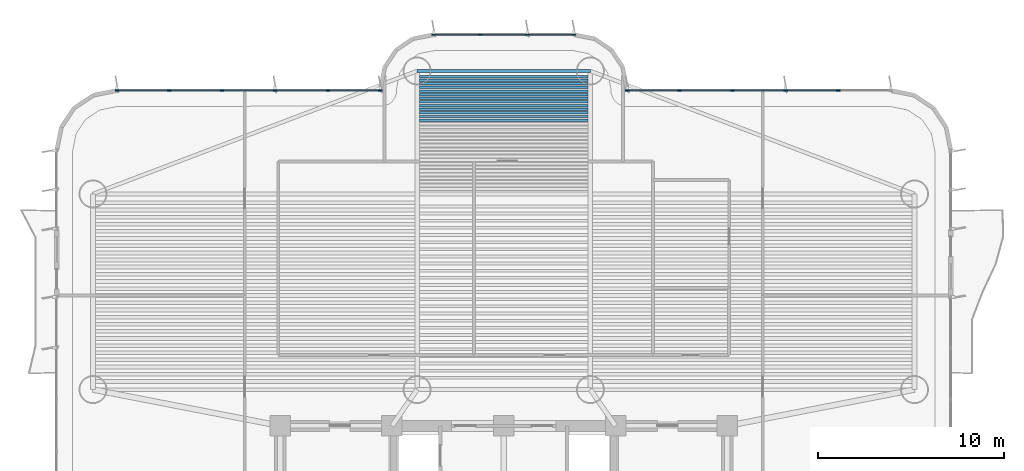
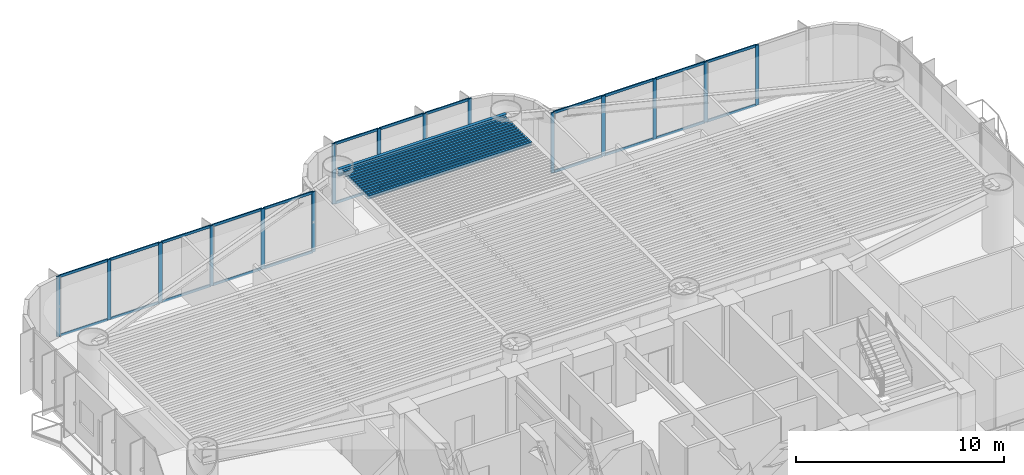
# One storey, part 7 of 17: 39 members, 14 beams, 3 elements without a shape of their own.
"""IFC4 building model written with IfcOpenShell, lengths in metres."""

from ifc_helpers import new_model, si_unit, direction, frame, origin, origin_2d, place, context, subcontext, project, spatial, rectangle, i_section, extrude, source, transform, mapped, material, layer, layer_set, material_profile, profile_set, type_object, element, aggregate, save


model = new_model("IFC4")

# Units and contexts
model_context = context("Model", 3, precision=1e-05, world=origin(), true_north=direction((0.0, 1.0)))
body_context = subcontext(model_context, "Body", "Model", "MODEL_VIEW")
ifc_project = project(units=[si_unit("LENGTHUNIT", "METRE"), si_unit("AREAUNIT", "SQUARE_METRE"), si_unit("VOLUMEUNIT", "CUBIC_METRE"), si_unit("PLANEANGLEUNIT", "RADIAN"), si_unit("MASSUNIT", "GRAM", prefix="KILO")], contexts=[model_context])

# Site, building, storey
site_placement = place(None, origin())
site = spatial("IfcSite", under=ifc_project, at=site_placement, CompositionType="ELEMENT")
building_placement = place(site_placement, origin())
building = spatial("IfcBuilding", under=site, at=building_placement, Name="Brelvock Crest Care Tower", CompositionType="ELEMENT")
storey_placement = place(building_placement, frame((0.0, 0.0, 45.89990234375)))
storey = spatial("IfcBuildingStorey", under=building, at=storey_placement, Name="L11", CompositionType="ELEMENT", Elevation=45.89990234375)

# Beams
ifc_material_1 = material(Name="Steel Grade 350", Category="steel")
ifc_material_profile_1 = material_profile(ifc_material_1, i_section(OverallWidth=0.177978515625, OverallDepth=0.406005859375, WebThickness=0.0078125, FlangeThickness=0.0126953125, FilletRadius=0.011474609375, at=origin_2d()), Name="410UB59.7")
ifc_profile_set_1 = profile_set([ifc_material_profile_1], Name="Steel Grade 350")
beam_type_1 = type_object("IfcBeamType", Name="BM-SP1", PredefinedType="SPANDREL", material=ifc_profile_set_1)
shared_shape_1 = source(origin(), body_context, "Body", "SweptSolid", [
    extrude(i_section(OverallWidth=0.177978515625, OverallDepth=0.406005859375, WebThickness=0.0078125, FlangeThickness=0.0126953125, FilletRadius=0.011474609375, at=origin_2d()), origin(), (0.0, 0.0, 1.0), 9.2998046875),
])
beam_placement = place(storey_placement, frame((31.35009765625, 37.050048828125, 3.3271484375), z_axis=(1.0, 0.0, 0.0), x_axis=(0.0, 1.0, 0.0)))
element("IfcBeam", 1, at=beam_placement, inside=storey, type_object=beam_type_1, Name="BM-TWR-L11-08", PredefinedType="SPANDREL", context=body_context, shape_type="MappedRepresentation", body=[
    mapped(shared_shape_1, transform((0.0, 0.0, 0.0), x_axis=(1.0, 0.0, 0.0), y_axis=(0.0, 1.0, 0.0), z_axis=(0.0, 0.0, 1.0), scale=1.0)),
])
ifc_material_profile_2 = material_profile(ifc_material_1, i_section(OverallWidth=0.134033203125, OverallDepth=0.20703125, WebThickness=0.00634765625, FlangeThickness=0.009521484375, FilletRadius=0.0087890625, at=origin_2d()), Name="200UB29.8")
ifc_profile_set_2 = profile_set([ifc_material_profile_2], Name="Steel Grade 350")
beam_type_2 = type_object("IfcBeamType", Name="BM-J4", PredefinedType="JOIST", material=ifc_profile_set_2)
shared_shape_2 = source(origin(), body_context, "Body", "SweptSolid", [
    extrude(i_section(OverallWidth=0.134033203125, OverallDepth=0.20703125, WebThickness=0.00634765625, FlangeThickness=0.009521484375, FilletRadius=0.0087890625, at=origin_2d()), origin(), (0.0, 0.0, 1.0), 9.06982421875),
])
for number, where, z_axis, x_axis, name in (
    (2, (31.465087890625, 34.413330078125, 3.426513671875), (1.0, 0.0, 0.0), (0.0, 1.0, 0.0), "BM-JN-L11-20"),
    (3, (31.465087890625, 34.60791015625, 3.426513671875), (1.0, 0.0, 0.0), (0.0, 1.0, 0.0), "BM-JN-L11-21"),
    (4, (31.465087890625, 34.802734375, 3.426513671875), (1.0, 0.0, 0.0), (0.0, 1.0, 0.0), "BM-JN-L11-22"),
    (5, (31.465087890625, 34.997314453125, 3.426513671875), (1.0, 0.0, 0.0), (0.0, 1.0, 0.0), "BM-JN-L11-23"),
    (6, (31.465087890625, 35.192138671875, 3.426513671875), (1.0, 0.0, 0.0), (0.0, 1.0, 0.0), "BM-JN-L11-24"),
    (7, (31.465087890625, 35.38671875, 3.426513671875), (1.0, 0.0, 0.0), (0.0, 1.0, 0.0), "BM-JN-L11-25"),
    (8, (31.465087890625, 35.58154296875, 3.426513671875), (1.0, 0.0, 0.0), (0.0, 1.0, 0.0), "BM-JN-L11-26"),
    (9, (31.465087890625, 35.776123046875, 3.426513671875), (1.0, 0.0, 0.0), (0.0, 1.0, 0.0), "BM-JN-L11-27"),
    (10, (31.465087890625, 35.970947265625, 3.426513671875), (1.0, 0.0, 0.0), (0.0, 1.0, 0.0), "BM-JN-L11-28"),
    (11, (31.465087890625, 36.16552734375, 3.426513671875), (1.0, 0.0, 0.0), (0.0, 1.0, 0.0), "BM-JN-L11-29"),
    (12, (31.465087890625, 36.3603515625, 3.426513671875), (1.0, 0.0, 0.0), (0.0, 1.0, 0.0), "BM-JN-L11-30"),
    (13, (31.465087890625, 36.554931640625, 3.426513671875), (1.0, 0.0, 0.0), (0.0, 1.0, 0.0), "BM-JN-L11-31"),
    (14, (31.465087890625, 36.749755859375, 3.426513671875), (1.0, 0.0, 0.0), (0.0, 1.0, 0.0), "BM-JN-L11-32"),
):
    element("IfcBeam", number, at=place(storey_placement, frame(where, z_axis=z_axis, x_axis=x_axis)), inside=storey, type_object=beam_type_2, Name=name, PredefinedType="JOIST", context=body_context, shape_type="MappedRepresentation", body=[
        mapped(shared_shape_2, transform((0.0, 0.0, 0.0), x_axis=(1.0, 0.0, 0.0), y_axis=(0.0, 1.0, 0.0), z_axis=(0.0, 0.0, 1.0), scale=1.0)),
    ])

# Curtain wall, members
ifc_material_2 = material(Name="Dark Glass Double Glazed Low-E", Category="glass")
ifc_layer = layer(ifc_material_2, 0.195068359375, Name="CWS-2")
ifc_layer_set = layer_set([ifc_layer], Name="Dark Glass Double Glazed Low-E")
curtain_wall_type = type_object("IfcCurtainWallType", Name="CWS-2", PredefinedType="NOTDEFINED", material=ifc_layer_set)
curtain_wall_1_placement = place(storey_placement, origin())
curtain_wall_1 = element("IfcCurtainWall", 15, at=curtain_wall_1_placement, inside=storey, type_object=curtain_wall_type, Name="L11 Curtain Wall E18", PredefinedType="NOTDEFINED")
ifc_material_3 = material(Name="Aluminium 6063-T6", Category="aluminium")
ifc_material_profile_3 = material_profile(ifc_material_3, rectangle(XDim=0.06494140625, YDim=0.199951171875, at=origin_2d()), Name="ALU65x200")
ifc_profile_set_3 = profile_set([ifc_material_profile_3], Name="Aluminium 6063-T6")
member_type_1 = type_object("IfcMemberType", Name="CWM-1", PredefinedType="MULLION", material=ifc_profile_set_3)
shared_shape_3 = source(origin(), body_context, "Body", "SweptSolid", [
    extrude(rectangle(XDim=0.06494140625, YDim=0.199951171875, at=origin_2d()), origin(), (0.0, 0.0, 1.0), 3.530029296875),
])
member_1_placement = place(storey_placement, frame((15.232421875, 36.0, 0.0), z_axis=(0.0, 0.0, 1.0), x_axis=(0.0, 1.0, 0.0)))
member_1 = element("IfcMember", 16, at=member_1_placement, type_object=member_type_1, Name="CW-2 mullion 1", PredefinedType="MULLION", context=body_context, shape_type="MappedRepresentation", body=[
    mapped(shared_shape_3, transform((0.0, 0.0, 0.0), x_axis=(1.0, 0.0, 0.0), y_axis=(0.0, 1.0, 0.0), z_axis=(0.0, 0.0, 1.0), scale=1.0)),
])
member_2_placement = place(storey_placement, frame((18.0400390625, 36.0, 0.0), z_axis=(0.0, 0.0, 1.0), x_axis=(0.0, 1.0, 0.0)))
member_2 = element("IfcMember", 17, at=member_2_placement, type_object=member_type_1, Name="CW-2 mullion 2", PredefinedType="MULLION", context=body_context, shape_type="MappedRepresentation", body=[
    mapped(shared_shape_3, transform((0.0, 0.0, 0.0), x_axis=(1.0, 0.0, 0.0), y_axis=(0.0, 1.0, 0.0), z_axis=(0.0, 0.0, 1.0), scale=1.0)),
])
member_3_placement = place(storey_placement, frame((20.8798828125, 36.0, 0.0), z_axis=(0.0, 0.0, 1.0), x_axis=(0.0, 1.0, 0.0)))
member_3 = element("IfcMember", 18, at=member_3_placement, type_object=member_type_1, Name="CW-2 mullion 3", PredefinedType="MULLION", context=body_context, shape_type="MappedRepresentation", body=[
    mapped(shared_shape_3, transform((0.0, 0.0, 0.0), x_axis=(1.0, 0.0, 0.0), y_axis=(0.0, 1.0, 0.0), z_axis=(0.0, 0.0, 1.0), scale=1.0)),
])
member_4_placement = place(storey_placement, frame((23.719970703125, 36.0, 0.0), z_axis=(0.0, 0.0, 1.0), x_axis=(0.0, 1.0, 0.0)))
member_4 = element("IfcMember", 19, at=member_4_placement, type_object=member_type_1, Name="CW-2 mullion 4", PredefinedType="MULLION", context=body_context, shape_type="MappedRepresentation", body=[
    mapped(shared_shape_3, transform((0.0, 0.0, 0.0), x_axis=(1.0, 0.0, 0.0), y_axis=(0.0, 1.0, 0.0), z_axis=(0.0, 0.0, 1.0), scale=1.0)),
])
member_5_placement = place(storey_placement, frame((26.56005859375, 36.0, 0.0), z_axis=(0.0, 0.0, 1.0), x_axis=(0.0, 1.0, 0.0)))
member_5 = element("IfcMember", 20, at=member_5_placement, type_object=member_type_1, Name="CW-2 mullion 5", PredefinedType="MULLION", context=body_context, shape_type="MappedRepresentation", body=[
    mapped(shared_shape_3, transform((0.0, 0.0, 0.0), x_axis=(1.0, 0.0, 0.0), y_axis=(0.0, 1.0, 0.0), z_axis=(0.0, 0.0, 1.0), scale=1.0)),
])
member_6_placement = place(storey_placement, frame((29.367431640625, 36.0, 0.0), z_axis=(0.0, 0.0, 1.0), x_axis=(0.0, 1.0, 0.0)))
member_6 = element("IfcMember", 21, at=member_6_placement, type_object=member_type_1, Name="CW-2 mullion 6", PredefinedType="MULLION", context=body_context, shape_type="MappedRepresentation", body=[
    mapped(shared_shape_3, transform((0.0, 0.0, 0.0), x_axis=(1.0, 0.0, 0.0), y_axis=(0.0, 1.0, 0.0), z_axis=(0.0, 0.0, 1.0), scale=1.0)),
])

curtain_wall_2_placement = place(storey_placement, origin())
curtain_wall_2 = element("IfcCurtainWall", 22, at=curtain_wall_2_placement, inside=storey, type_object=curtain_wall_type, Name="L11 Curtain Wall E24", PredefinedType="NOTDEFINED")
member_7_placement = place(storey_placement, frame((32.232421875, 39.0, 0.0), z_axis=(0.0, 0.0, 1.0), x_axis=(0.0, 1.0, 0.0)))
member_7 = element("IfcMember", 23, at=member_7_placement, type_object=member_type_1, Name="CW-2 mullion 1", PredefinedType="MULLION", context=body_context, shape_type="MappedRepresentation", body=[
    mapped(shared_shape_3, transform((0.0, 0.0, 0.0), x_axis=(1.0, 0.0, 0.0), y_axis=(0.0, 1.0, 0.0), z_axis=(0.0, 0.0, 1.0), scale=1.0)),
])
member_8_placement = place(storey_placement, frame((34.7333984375, 39.0, 0.0), z_axis=(0.0, 0.0, 1.0), x_axis=(0.0, 1.0, 0.0)))
member_8 = element("IfcMember", 24, at=member_8_placement, type_object=member_type_1, Name="CW-2 mullion 2", PredefinedType="MULLION", context=body_context, shape_type="MappedRepresentation", body=[
    mapped(shared_shape_3, transform((0.0, 0.0, 0.0), x_axis=(1.0, 0.0, 0.0), y_axis=(0.0, 1.0, 0.0), z_axis=(0.0, 0.0, 1.0), scale=1.0)),
])
member_9_placement = place(storey_placement, frame((37.2666015625, 39.0, 0.0), z_axis=(0.0, 0.0, 1.0), x_axis=(0.0, 1.0, 0.0)))
member_9 = element("IfcMember", 25, at=member_9_placement, type_object=member_type_1, Name="CW-2 mullion 3", PredefinedType="MULLION", context=body_context, shape_type="MappedRepresentation", body=[
    mapped(shared_shape_3, transform((0.0, 0.0, 0.0), x_axis=(1.0, 0.0, 0.0), y_axis=(0.0, 1.0, 0.0), z_axis=(0.0, 0.0, 1.0), scale=1.0)),
])
member_10_placement = place(storey_placement, frame((39.767578125, 39.0, 0.0), z_axis=(0.0, 0.0, 1.0), x_axis=(0.0, 1.0, 0.0)))
member_10 = element("IfcMember", 26, at=member_10_placement, type_object=member_type_1, Name="CW-2 mullion 4", PredefinedType="MULLION", context=body_context, shape_type="MappedRepresentation", body=[
    mapped(shared_shape_3, transform((0.0, 0.0, 0.0), x_axis=(1.0, 0.0, 0.0), y_axis=(0.0, 1.0, 0.0), z_axis=(0.0, 0.0, 1.0), scale=1.0)),
])

curtain_wall_3_placement = place(storey_placement, origin())
curtain_wall_3 = element("IfcCurtainWall", 27, at=curtain_wall_3_placement, inside=storey, type_object=curtain_wall_type, Name="L11 Curtain Wall E30", PredefinedType="NOTDEFINED")
member_11_placement = place(storey_placement, frame((42.632568359375, 36.0, 0.0), z_axis=(0.0, 0.0, 1.0), x_axis=(0.0, 1.0, 0.0)))
member_11 = element("IfcMember", 28, at=member_11_placement, type_object=member_type_1, Name="CW-2 mullion 1", PredefinedType="MULLION", context=body_context, shape_type="MappedRepresentation", body=[
    mapped(shared_shape_3, transform((0.0, 0.0, 0.0), x_axis=(1.0, 0.0, 0.0), y_axis=(0.0, 1.0, 0.0), z_axis=(0.0, 0.0, 1.0), scale=1.0)),
])
member_12_placement = place(storey_placement, frame((45.43994140625, 36.0, 0.0), z_axis=(0.0, 0.0, 1.0), x_axis=(0.0, 1.0, 0.0)))
member_12 = element("IfcMember", 29, at=member_12_placement, type_object=member_type_1, Name="CW-2 mullion 2", PredefinedType="MULLION", context=body_context, shape_type="MappedRepresentation", body=[
    mapped(shared_shape_3, transform((0.0, 0.0, 0.0), x_axis=(1.0, 0.0, 0.0), y_axis=(0.0, 1.0, 0.0), z_axis=(0.0, 0.0, 1.0), scale=1.0)),
])
member_13_placement = place(storey_placement, frame((48.280029296875, 36.0, 0.0), z_axis=(0.0, 0.0, 1.0), x_axis=(0.0, 1.0, 0.0)))
member_13 = element("IfcMember", 30, at=member_13_placement, type_object=member_type_1, Name="CW-2 mullion 3", PredefinedType="MULLION", context=body_context, shape_type="MappedRepresentation", body=[
    mapped(shared_shape_3, transform((0.0, 0.0, 0.0), x_axis=(1.0, 0.0, 0.0), y_axis=(0.0, 1.0, 0.0), z_axis=(0.0, 0.0, 1.0), scale=1.0)),
])
member_14_placement = place(storey_placement, frame((51.1201171875, 36.0, 0.0), z_axis=(0.0, 0.0, 1.0), x_axis=(0.0, 1.0, 0.0)))
member_14 = element("IfcMember", 31, at=member_14_placement, type_object=member_type_1, Name="CW-2 mullion 4", PredefinedType="MULLION", context=body_context, shape_type="MappedRepresentation", body=[
    mapped(shared_shape_3, transform((0.0, 0.0, 0.0), x_axis=(1.0, 0.0, 0.0), y_axis=(0.0, 1.0, 0.0), z_axis=(0.0, 0.0, 1.0), scale=1.0)),
])
member_15_placement = place(storey_placement, frame((53.9599609375, 36.0, 0.0), z_axis=(0.0, 0.0, 1.0), x_axis=(0.0, 1.0, 0.0)))
member_15 = element("IfcMember", 32, at=member_15_placement, type_object=member_type_1, Name="CW-2 mullion 5", PredefinedType="MULLION", context=body_context, shape_type="MappedRepresentation", body=[
    mapped(shared_shape_3, transform((0.0, 0.0, 0.0), x_axis=(1.0, 0.0, 0.0), y_axis=(0.0, 1.0, 0.0), z_axis=(0.0, 0.0, 1.0), scale=1.0)),
])

# Member
ifc_material_profile_4 = material_profile(ifc_material_3, rectangle(XDim=0.06494140625, YDim=0.14990234375, at=origin_2d()), Name="ALU65x150")
ifc_profile_set_4 = profile_set([ifc_material_profile_4], Name="Aluminium 6063-T6")
member_type_2 = type_object("IfcMemberType", Name="CWT-1", PredefinedType="USERDEFINED", material=ifc_profile_set_4)
shared_shape_4 = source(origin(), body_context, "Body", "SweptSolid", [
    extrude(rectangle(XDim=0.06494140625, YDim=0.14990234375, at=origin_2d()), origin(), (0.0, 0.0, 1.0), 2.74267578125),
])
member_16_placement = place(storey_placement, frame((15.264892578125, 36.0, 0.03271484375), z_axis=(1.0, 0.0, 0.0), x_axis=(0.0, 1.0, 0.0)))
member_16 = element("IfcMember", 33, at=member_16_placement, type_object=member_type_2, Name="CW-2 transom 1.1", ObjectType="TRANSOM", PredefinedType="USERDEFINED", context=body_context, shape_type="MappedRepresentation", body=[
    mapped(shared_shape_4, transform((0.0, 0.0, 0.0), x_axis=(1.0, 0.0, 0.0), y_axis=(0.0, 1.0, 0.0), z_axis=(0.0, 0.0, 1.0), scale=1.0)),
])

member_17_placement = place(storey_placement, frame((15.264892578125, 36.0, 3.49755859375), z_axis=(1.0, 0.0, 0.0), x_axis=(0.0, 1.0, 0.0)))
member_17 = element("IfcMember", 34, at=member_17_placement, type_object=member_type_2, Name="CW-2 transom 1.2", ObjectType="TRANSOM", PredefinedType="USERDEFINED", context=body_context, shape_type="MappedRepresentation", body=[
    mapped(shared_shape_4, transform((0.0, 0.0, 0.0), x_axis=(1.0, 0.0, 0.0), y_axis=(0.0, 1.0, 0.0), z_axis=(0.0, 0.0, 1.0), scale=1.0)),
])

shared_shape_5 = source(origin(), body_context, "Body", "SweptSolid", [
    extrude(rectangle(XDim=0.06494140625, YDim=0.14990234375, at=origin_2d()), origin(), (0.0, 0.0, 1.0), 2.77490234375),
])
member_18_placement = place(storey_placement, frame((18.072509765625, 36.0, 0.03271484375), z_axis=(1.0, 0.0, 0.0), x_axis=(0.0, 1.0, 0.0)))
member_18 = element("IfcMember", 35, at=member_18_placement, type_object=member_type_2, Name="CW-2 transom 2.1", ObjectType="TRANSOM", PredefinedType="USERDEFINED", context=body_context, shape_type="MappedRepresentation", body=[
    mapped(shared_shape_5, transform((0.0, 0.0, 0.0), x_axis=(1.0, 0.0, 0.0), y_axis=(0.0, 1.0, 0.0), z_axis=(0.0, 0.0, 1.0), scale=1.0)),
])

member_19_placement = place(storey_placement, frame((18.072509765625, 36.0, 3.49755859375), z_axis=(1.0, 0.0, 0.0), x_axis=(0.0, 1.0, 0.0)))
member_19 = element("IfcMember", 36, at=member_19_placement, type_object=member_type_2, Name="CW-2 transom 2.2", ObjectType="TRANSOM", PredefinedType="USERDEFINED", context=body_context, shape_type="MappedRepresentation", body=[
    mapped(shared_shape_5, transform((0.0, 0.0, 0.0), x_axis=(1.0, 0.0, 0.0), y_axis=(0.0, 1.0, 0.0), z_axis=(0.0, 0.0, 1.0), scale=1.0)),
])

member_20_placement = place(storey_placement, frame((20.91259765625, 36.0, 0.03271484375), z_axis=(1.0, 0.0, 0.0), x_axis=(0.0, 1.0, 0.0)))
member_20 = element("IfcMember", 37, at=member_20_placement, type_object=member_type_2, Name="CW-2 transom 3.1", ObjectType="TRANSOM", PredefinedType="USERDEFINED", context=body_context, shape_type="MappedRepresentation", body=[
    mapped(shared_shape_5, transform((0.0, 0.0, 0.0), x_axis=(1.0, 0.0, 0.0), y_axis=(0.0, 1.0, 0.0), z_axis=(0.0, 0.0, 1.0), scale=1.0)),
])

member_21_placement = place(storey_placement, frame((20.91259765625, 36.0, 3.49755859375), z_axis=(1.0, 0.0, 0.0), x_axis=(0.0, 1.0, 0.0)))
member_21 = element("IfcMember", 38, at=member_21_placement, type_object=member_type_2, Name="CW-2 transom 3.2", ObjectType="TRANSOM", PredefinedType="USERDEFINED", context=body_context, shape_type="MappedRepresentation", body=[
    mapped(shared_shape_5, transform((0.0, 0.0, 0.0), x_axis=(1.0, 0.0, 0.0), y_axis=(0.0, 1.0, 0.0), z_axis=(0.0, 0.0, 1.0), scale=1.0)),
])

member_22_placement = place(storey_placement, frame((48.3125, 36.0, 0.03271484375), z_axis=(1.0, 0.0, 0.0), x_axis=(0.0, 1.0, 0.0)))
member_22 = element("IfcMember", 39, at=member_22_placement, type_object=member_type_2, Name="CW-2 transom 3.1", ObjectType="TRANSOM", PredefinedType="USERDEFINED", context=body_context, shape_type="MappedRepresentation", body=[
    mapped(shared_shape_5, transform((0.0, 0.0, 0.0), x_axis=(1.0, 0.0, 0.0), y_axis=(0.0, 1.0, 0.0), z_axis=(0.0, 0.0, 1.0), scale=1.0)),
])

member_23_placement = place(storey_placement, frame((48.3125, 36.0, 3.49755859375), z_axis=(1.0, 0.0, 0.0), x_axis=(0.0, 1.0, 0.0)))
member_23 = element("IfcMember", 40, at=member_23_placement, type_object=member_type_2, Name="CW-2 transom 3.2", ObjectType="TRANSOM", PredefinedType="USERDEFINED", context=body_context, shape_type="MappedRepresentation", body=[
    mapped(shared_shape_5, transform((0.0, 0.0, 0.0), x_axis=(1.0, 0.0, 0.0), y_axis=(0.0, 1.0, 0.0), z_axis=(0.0, 0.0, 1.0), scale=1.0)),
])

member_24_placement = place(storey_placement, frame((51.152587890625, 36.0, 0.03271484375), z_axis=(1.0, 0.0, 0.0), x_axis=(0.0, 1.0, 0.0)))
member_24 = element("IfcMember", 41, at=member_24_placement, type_object=member_type_2, Name="CW-2 transom 4.1", ObjectType="TRANSOM", PredefinedType="USERDEFINED", context=body_context, shape_type="MappedRepresentation", body=[
    mapped(shared_shape_5, transform((0.0, 0.0, 0.0), x_axis=(1.0, 0.0, 0.0), y_axis=(0.0, 1.0, 0.0), z_axis=(0.0, 0.0, 1.0), scale=1.0)),
])

member_25_placement = place(storey_placement, frame((51.152587890625, 36.0, 3.49755859375), z_axis=(1.0, 0.0, 0.0), x_axis=(0.0, 1.0, 0.0)))
member_25 = element("IfcMember", 42, at=member_25_placement, type_object=member_type_2, Name="CW-2 transom 4.2", ObjectType="TRANSOM", PredefinedType="USERDEFINED", context=body_context, shape_type="MappedRepresentation", body=[
    mapped(shared_shape_5, transform((0.0, 0.0, 0.0), x_axis=(1.0, 0.0, 0.0), y_axis=(0.0, 1.0, 0.0), z_axis=(0.0, 0.0, 1.0), scale=1.0)),
])

shared_shape_6 = source(origin(), body_context, "Body", "SweptSolid", [
    extrude(rectangle(XDim=0.06494140625, YDim=0.14990234375, at=origin_2d()), origin(), (0.0, 0.0, 1.0), 2.775146484375),
])
member_26_placement = place(storey_placement, frame((23.75244140625, 36.0, 0.03271484375), z_axis=(1.0, 0.0, 0.0), x_axis=(0.0, 1.0, 0.0)))
member_26 = element("IfcMember", 43, at=member_26_placement, type_object=member_type_2, Name="CW-2 transom 4.1", ObjectType="TRANSOM", PredefinedType="USERDEFINED", context=body_context, shape_type="MappedRepresentation", body=[
    mapped(shared_shape_6, transform((0.0, 0.0, 0.0), x_axis=(1.0, 0.0, 0.0), y_axis=(0.0, 1.0, 0.0), z_axis=(0.0, 0.0, 1.0), scale=1.0)),
])

member_27_placement = place(storey_placement, frame((23.75244140625, 36.0, 3.49755859375), z_axis=(1.0, 0.0, 0.0), x_axis=(0.0, 1.0, 0.0)))
member_27 = element("IfcMember", 44, at=member_27_placement, type_object=member_type_2, Name="CW-2 transom 4.2", ObjectType="TRANSOM", PredefinedType="USERDEFINED", context=body_context, shape_type="MappedRepresentation", body=[
    mapped(shared_shape_6, transform((0.0, 0.0, 0.0), x_axis=(1.0, 0.0, 0.0), y_axis=(0.0, 1.0, 0.0), z_axis=(0.0, 0.0, 1.0), scale=1.0)),
])

member_28_placement = place(storey_placement, frame((45.472412109375, 36.0, 0.03271484375), z_axis=(1.0, 0.0, 0.0), x_axis=(0.0, 1.0, 0.0)))
member_28 = element("IfcMember", 45, at=member_28_placement, type_object=member_type_2, Name="CW-2 transom 2.1", ObjectType="TRANSOM", PredefinedType="USERDEFINED", context=body_context, shape_type="MappedRepresentation", body=[
    mapped(shared_shape_6, transform((0.0, 0.0, 0.0), x_axis=(1.0, 0.0, 0.0), y_axis=(0.0, 1.0, 0.0), z_axis=(0.0, 0.0, 1.0), scale=1.0)),
])

member_29_placement = place(storey_placement, frame((45.472412109375, 36.0, 3.49755859375), z_axis=(1.0, 0.0, 0.0), x_axis=(0.0, 1.0, 0.0)))
member_29 = element("IfcMember", 46, at=member_29_placement, type_object=member_type_2, Name="CW-2 transom 2.2", ObjectType="TRANSOM", PredefinedType="USERDEFINED", context=body_context, shape_type="MappedRepresentation", body=[
    mapped(shared_shape_6, transform((0.0, 0.0, 0.0), x_axis=(1.0, 0.0, 0.0), y_axis=(0.0, 1.0, 0.0), z_axis=(0.0, 0.0, 1.0), scale=1.0)),
])

shared_shape_7 = source(origin(), body_context, "Body", "SweptSolid", [
    extrude(rectangle(XDim=0.06494140625, YDim=0.14990234375, at=origin_2d()), origin(), (0.0, 0.0, 1.0), 2.742431640625),
])
member_30_placement = place(storey_placement, frame((26.592529296875, 36.0, 0.03271484375), z_axis=(1.0, 0.0, 0.0), x_axis=(0.0, 1.0, 0.0)))
member_30 = element("IfcMember", 47, at=member_30_placement, type_object=member_type_2, Name="CW-2 transom 5.1", ObjectType="TRANSOM", PredefinedType="USERDEFINED", context=body_context, shape_type="MappedRepresentation", body=[
    mapped(shared_shape_7, transform((0.0, 0.0, 0.0), x_axis=(1.0, 0.0, 0.0), y_axis=(0.0, 1.0, 0.0), z_axis=(0.0, 0.0, 1.0), scale=1.0)),
])

member_31_placement = place(storey_placement, frame((26.592529296875, 36.0, 3.49755859375), z_axis=(1.0, 0.0, 0.0), x_axis=(0.0, 1.0, 0.0)))
member_31 = element("IfcMember", 48, at=member_31_placement, type_object=member_type_2, Name="CW-2 transom 5.2", ObjectType="TRANSOM", PredefinedType="USERDEFINED", context=body_context, shape_type="MappedRepresentation", body=[
    mapped(shared_shape_7, transform((0.0, 0.0, 0.0), x_axis=(1.0, 0.0, 0.0), y_axis=(0.0, 1.0, 0.0), z_axis=(0.0, 0.0, 1.0), scale=1.0)),
])

aggregate(curtain_wall_1, [member_1, member_2, member_3, member_4, member_5, member_6, member_16, member_17, member_18, member_19, member_20, member_21, member_26, member_27, member_30, member_31])

member_32_placement = place(storey_placement, frame((42.6650390625, 36.0, 0.03271484375), z_axis=(1.0, 0.0, 0.0), x_axis=(0.0, 1.0, 0.0)))
member_32 = element("IfcMember", 49, at=member_32_placement, type_object=member_type_2, Name="CW-2 transom 1.1", ObjectType="TRANSOM", PredefinedType="USERDEFINED", context=body_context, shape_type="MappedRepresentation", body=[
    mapped(shared_shape_7, transform((0.0, 0.0, 0.0), x_axis=(1.0, 0.0, 0.0), y_axis=(0.0, 1.0, 0.0), z_axis=(0.0, 0.0, 1.0), scale=1.0)),
])

member_33_placement = place(storey_placement, frame((42.6650390625, 36.0, 3.49755859375), z_axis=(1.0, 0.0, 0.0), x_axis=(0.0, 1.0, 0.0)))
member_33 = element("IfcMember", 50, at=member_33_placement, type_object=member_type_2, Name="CW-2 transom 1.2", ObjectType="TRANSOM", PredefinedType="USERDEFINED", context=body_context, shape_type="MappedRepresentation", body=[
    mapped(shared_shape_7, transform((0.0, 0.0, 0.0), x_axis=(1.0, 0.0, 0.0), y_axis=(0.0, 1.0, 0.0), z_axis=(0.0, 0.0, 1.0), scale=1.0)),
])

aggregate(curtain_wall_3, [member_11, member_12, member_13, member_14, member_15, member_32, member_33, member_28, member_29, member_22, member_23, member_24, member_25])

shared_shape_8 = source(origin(), body_context, "Body", "SweptSolid", [
    extrude(rectangle(XDim=0.06494140625, YDim=0.14990234375, at=origin_2d()), origin(), (0.0, 0.0, 1.0), 2.43603515625),
])
member_34_placement = place(storey_placement, frame((32.264892578125, 39.0, 0.03271484375), z_axis=(1.0, 0.0, 0.0), x_axis=(0.0, 1.0, 0.0)))
member_34 = element("IfcMember", 51, at=member_34_placement, type_object=member_type_2, Name="CW-2 transom 1.1", ObjectType="TRANSOM", PredefinedType="USERDEFINED", context=body_context, shape_type="MappedRepresentation", body=[
    mapped(shared_shape_8, transform((0.0, 0.0, 0.0), x_axis=(1.0, 0.0, 0.0), y_axis=(0.0, 1.0, 0.0), z_axis=(0.0, 0.0, 1.0), scale=1.0)),
])

member_35_placement = place(storey_placement, frame((32.264892578125, 39.0, 3.49755859375), z_axis=(1.0, 0.0, 0.0), x_axis=(0.0, 1.0, 0.0)))
member_35 = element("IfcMember", 52, at=member_35_placement, type_object=member_type_2, Name="CW-2 transom 1.2", ObjectType="TRANSOM", PredefinedType="USERDEFINED", context=body_context, shape_type="MappedRepresentation", body=[
    mapped(shared_shape_8, transform((0.0, 0.0, 0.0), x_axis=(1.0, 0.0, 0.0), y_axis=(0.0, 1.0, 0.0), z_axis=(0.0, 0.0, 1.0), scale=1.0)),
])

member_36_placement = place(storey_placement, frame((37.299072265625, 39.0, 0.03271484375), z_axis=(1.0, 0.0, 0.0), x_axis=(0.0, 1.0, 0.0)))
member_36 = element("IfcMember", 53, at=member_36_placement, type_object=member_type_2, Name="CW-2 transom 3.1", ObjectType="TRANSOM", PredefinedType="USERDEFINED", context=body_context, shape_type="MappedRepresentation", body=[
    mapped(shared_shape_8, transform((0.0, 0.0, 0.0), x_axis=(1.0, 0.0, 0.0), y_axis=(0.0, 1.0, 0.0), z_axis=(0.0, 0.0, 1.0), scale=1.0)),
])

member_37_placement = place(storey_placement, frame((37.299072265625, 39.0, 3.49755859375), z_axis=(1.0, 0.0, 0.0), x_axis=(0.0, 1.0, 0.0)))
member_37 = element("IfcMember", 54, at=member_37_placement, type_object=member_type_2, Name="CW-2 transom 3.2", ObjectType="TRANSOM", PredefinedType="USERDEFINED", context=body_context, shape_type="MappedRepresentation", body=[
    mapped(shared_shape_8, transform((0.0, 0.0, 0.0), x_axis=(1.0, 0.0, 0.0), y_axis=(0.0, 1.0, 0.0), z_axis=(0.0, 0.0, 1.0), scale=1.0)),
])

shared_shape_9 = source(origin(), body_context, "Body", "SweptSolid", [
    extrude(rectangle(XDim=0.06494140625, YDim=0.14990234375, at=origin_2d()), origin(), (0.0, 0.0, 1.0), 2.46826171875),
])
member_38_placement = place(storey_placement, frame((34.765869140625, 39.0, 0.03271484375), z_axis=(1.0, 0.0, 0.0), x_axis=(0.0, 1.0, 0.0)))
member_38 = element("IfcMember", 55, at=member_38_placement, type_object=member_type_2, Name="CW-2 transom 2.1", ObjectType="TRANSOM", PredefinedType="USERDEFINED", context=body_context, shape_type="MappedRepresentation", body=[
    mapped(shared_shape_9, transform((0.0, 0.0, 0.0), x_axis=(1.0, 0.0, 0.0), y_axis=(0.0, 1.0, 0.0), z_axis=(0.0, 0.0, 1.0), scale=1.0)),
])

member_39_placement = place(storey_placement, frame((34.765869140625, 39.0, 3.49755859375), z_axis=(1.0, 0.0, 0.0), x_axis=(0.0, 1.0, 0.0)))
member_39 = element("IfcMember", 56, at=member_39_placement, type_object=member_type_2, Name="CW-2 transom 2.2", ObjectType="TRANSOM", PredefinedType="USERDEFINED", context=body_context, shape_type="MappedRepresentation", body=[
    mapped(shared_shape_9, transform((0.0, 0.0, 0.0), x_axis=(1.0, 0.0, 0.0), y_axis=(0.0, 1.0, 0.0), z_axis=(0.0, 0.0, 1.0), scale=1.0)),
])

aggregate(curtain_wall_2, [member_7, member_8, member_9, member_10, member_34, member_35, member_38, member_39, member_36, member_37])

save(model, "model.ifc")
